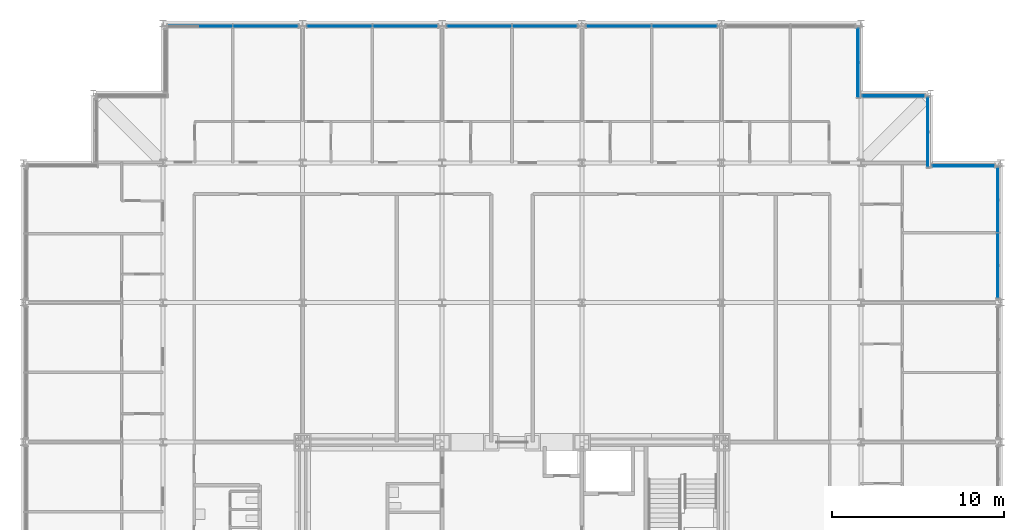
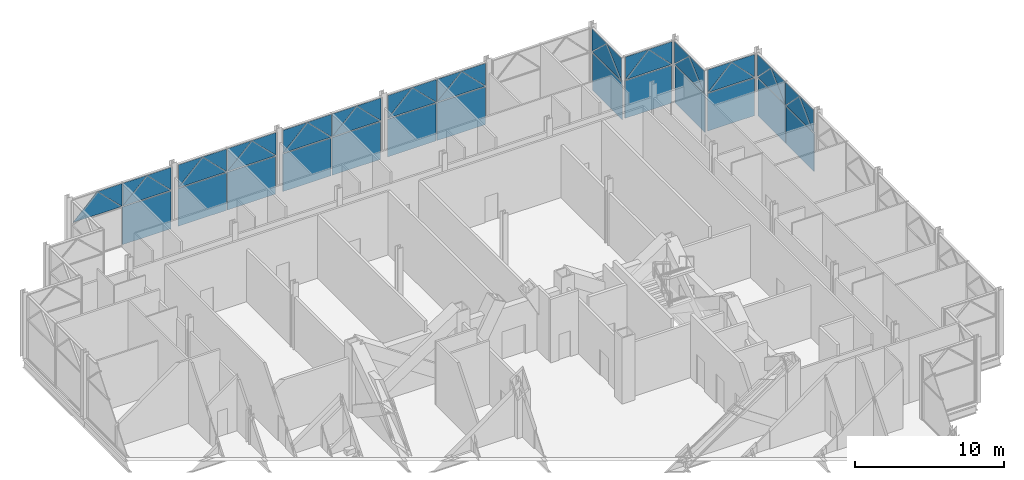
# One storey, part 17 of 26: 54 plates, 9 elements without a shape of their own.
"""IFC4 building model written with IfcOpenShell, lengths in metres."""

from ifc_helpers import new_model, si_unit, direction, frame, origin, origin_2d, place, context, subcontext, project, spatial, polyline, rectangle, outline, extrude, material, layer, layer_set, type_object, element, aggregate, save


model = new_model("IFC4")

# Units and contexts
model_context = context("Model", 3, precision=1e-05, world=origin(), true_north=direction((0.0, 1.0)))
body_context = subcontext(model_context, "Body", "Model", "MODEL_VIEW")
ifc_project = project(units=[si_unit("LENGTHUNIT", "METRE"), si_unit("AREAUNIT", "SQUARE_METRE"), si_unit("VOLUMEUNIT", "CUBIC_METRE"), si_unit("PLANEANGLEUNIT", "RADIAN"), si_unit("MASSUNIT", "GRAM", prefix="KILO")], contexts=[model_context])

# Site, building, storey
site_placement = place(None, origin())
site = spatial("IfcSite", under=ifc_project, at=site_placement, CompositionType="ELEMENT")
building_placement = place(site_placement, origin())
building = spatial("IfcBuilding", under=site, at=building_placement, Name="Kopane Lantern Tower", CompositionType="ELEMENT")
storey_placement = place(building_placement, frame((0.0, 0.0, 293.10009765625)))
storey = spatial("IfcBuildingStorey", under=building, at=storey_placement, Name="L75", CompositionType="ELEMENT", Elevation=293.10009765625)

# Curtain wall, plates
ifc_material_1 = material(Name="Aluminium and clear glass", Category="aluminium")
curtain_wall_type = type_object("IfcCurtainWallType", Name="CURTAIN WALL CW5 SKY RESTAURANT", PredefinedType="USERDEFINED", material=ifc_material_1)
curtain_wall_1_placement = place(storey_placement, origin())
curtain_wall_1 = element("IfcCurtainWall", 1, at=curtain_wall_1_placement, inside=storey, type_object=curtain_wall_type, Name="Curtain wall CW5 E L75", ObjectType="CURTAIN WALL", PredefinedType="USERDEFINED")
ifc_material_2 = material(Name="Insulated clear glass unit", Category="glass")
ifc_layer = layer(ifc_material_2, 0.035888671875)
ifc_layer_set = layer_set([ifc_layer], Name="CURTAIN PANEL CW5-P 36")
plate_type = type_object("IfcPlateType", Name="CURTAIN PANEL CW5-P 36", PredefinedType="CURTAIN_PANEL", material=ifc_layer_set)
plate_1_placement = place(storey_placement, frame((56.550048828125, 50.74462890625, 0.0751953125), z_axis=(0.0, 0.0, 1.0), x_axis=(0.0, 1.0, 0.0)))
plate_1 = element("IfcPlate", 2, at=plate_1_placement, type_object=plate_type, Name="CW5 panel 1.1", PredefinedType="CURTAIN_PANEL", context=body_context, shape_type="SweptSolid", body=[
    extrude(rectangle(XDim=3.735595703125, YDim=0.035888671875, at=origin_2d()), origin(), (0.0, 0.0, 1.0), 3.077392578125),
])
plate_2_placement = place(storey_placement, frame((56.550048828125, 54.555419921875, 0.0751953125), z_axis=(0.0, 0.0, 1.0), x_axis=(0.0, 1.0, 0.0)))
plate_2 = element("IfcPlate", 3, at=plate_2_placement, type_object=plate_type, Name="CW5 panel 2.1", PredefinedType="CURTAIN_PANEL", context=body_context, shape_type="SweptSolid", body=[
    extrude(rectangle(XDim=3.735595703125, YDim=0.035888671875, at=origin_2d()), origin(), (0.0, 0.0, 1.0), 3.077392578125),
])
plate_3_placement = place(storey_placement, frame((56.550048828125, 48.876708984375, 3.227294921875), z_axis=(0.0, 0.0, 1.0), x_axis=(0.0, 1.0, 0.0)))
plate_3 = element("IfcPlate", 4, at=plate_3_placement, type_object=plate_type, Name="CW5 lancet panel 1", PredefinedType="CURTAIN_PANEL", context=body_context, shape_type="SweptSolid", body=[
    extrude(outline(polyline([(0.0, 0.0), (3.73583984375, 0.0), (3.735595703125, 0.001220703125), (1.867919921875, 1.888916015625), (0.0, 0.001220703125), (0.0, 0.0)])), frame((0.0, 0.01806640625, 0.0), z_axis=(0.0, -1.0, 0.0), x_axis=(1.0, 0.0, 0.0)), (0.0, 0.0, 1.0), 0.035888671875),
])
plate_4_placement = place(storey_placement, frame((56.511962890625, 48.876708984375, 5.114990234375), z_axis=(0.0, 0.0, 1.0), x_axis=(0.0, 1.0, 0.0)))
plate_4 = element("IfcPlate", 5, at=plate_4_placement, type_object=plate_type, Name="CW5 spandrel panel 1L", PredefinedType="CURTAIN_PANEL", context=body_context, shape_type="SweptSolid", body=[
    extrude(outline(polyline([(0.0, 0.0), (1.867919921875, 0.0), (1.867919921875, -0.0009765625), (0.0, -1.8349609375), (0.0, 0.0)])), frame((0.0, 0.01806640625, 0.0), z_axis=(0.0, -1.0, 0.0), x_axis=(1.0, 0.0, 0.0)), (0.0, 0.0, 1.0), 0.035888671875),
])
plate_5_placement = place(storey_placement, frame((56.511962890625, 52.612548828125, 5.114990234375), z_axis=(0.0, 0.0, 1.0), x_axis=(0.0, -1.0, 0.0)))
plate_5 = element("IfcPlate", 6, at=plate_5_placement, type_object=plate_type, Name="CW5 spandrel panel 1R", PredefinedType="CURTAIN_PANEL", context=body_context, shape_type="SweptSolid", body=[
    extrude(outline(polyline([(0.0, 0.0), (1.867919921875, 0.0), (1.867919921875, -0.0009765625), (0.0, -1.8349609375), (0.0, 0.0)])), frame((0.0, 0.01806640625, 0.0), z_axis=(0.0, -1.0, 0.0), x_axis=(1.0, 0.0, 0.0)), (0.0, 0.0, 1.0), 0.035888671875),
])
plate_6_placement = place(storey_placement, frame((56.550048828125, 52.6875, 3.227294921875), z_axis=(0.0, 0.0, 1.0), x_axis=(0.0, 1.0, 0.0)))
plate_6 = element("IfcPlate", 7, at=plate_6_placement, type_object=plate_type, Name="CW5 lancet panel 2", PredefinedType="CURTAIN_PANEL", context=body_context, shape_type="SweptSolid", body=[
    extrude(outline(polyline([(0.0, 0.0), (3.735595703125, 0.0), (3.735595703125, 0.001220703125), (1.867919921875, 1.888916015625), (0.0, 0.001220703125), (0.0, 0.0)])), frame((0.0, 0.01806640625, 0.0), z_axis=(0.0, -1.0, 0.0), x_axis=(1.0, 0.0, 0.0)), (0.0, 0.0, 1.0), 0.035888671875),
])
plate_7_placement = place(storey_placement, frame((56.511962890625, 52.6875, 5.114990234375), z_axis=(0.0, 0.0, 1.0), x_axis=(0.0, 1.0, 0.0)))
plate_7 = element("IfcPlate", 8, at=plate_7_placement, type_object=plate_type, Name="CW5 spandrel panel 2L", PredefinedType="CURTAIN_PANEL", context=body_context, shape_type="SweptSolid", body=[
    extrude(outline(polyline([(0.0, 0.0), (1.867919921875, 0.0), (1.867919921875, -0.0009765625), (0.0, -1.8349609375), (0.0, 0.0)])), frame((0.0, 0.01806640625, 0.0), z_axis=(0.0, -1.0, 0.0), x_axis=(1.0, 0.0, 0.0)), (0.0, 0.0, 1.0), 0.035888671875),
])
plate_8_placement = place(storey_placement, frame((56.511962890625, 56.423095703125, 5.114990234375), z_axis=(0.0, 0.0, 1.0), x_axis=(0.0, -1.0, 0.0)))
plate_8 = element("IfcPlate", 9, at=plate_8_placement, type_object=plate_type, Name="CW5 spandrel panel 2R", PredefinedType="CURTAIN_PANEL", context=body_context, shape_type="SweptSolid", body=[
    extrude(outline(polyline([(0.0, 0.0), (1.86767578125, 0.0), (1.867919921875, -0.0009765625), (0.0, -1.8349609375), (0.0, 0.0)])), frame((0.0, 0.01806640625, 0.0), z_axis=(0.0, -1.0, 0.0), x_axis=(1.0, 0.0, 0.0)), (0.0, 0.0, 1.0), 0.035888671875),
])
aggregate(curtain_wall_1, [plate_1, plate_2, plate_3, plate_4, plate_5, plate_6, plate_7, plate_8])

curtain_wall_2_placement = place(storey_placement, origin())
curtain_wall_2 = element("IfcCurtainWall", 10, at=curtain_wall_2_placement, inside=storey, type_object=curtain_wall_type, Name="Curtain wall CW5 N L75", ObjectType="CURTAIN WALL", PredefinedType="USERDEFINED")
plate_9_placement = place(storey_placement, frame((54.52490234375, 56.550048828125, 0.0751953125), z_axis=(0.0, 0.0, 1.0), x_axis=(-1.0, 0.0, 0.0)))
plate_9 = element("IfcPlate", 11, at=plate_9_placement, type_object=plate_type, Name="CW5 panel 1.1", PredefinedType="CURTAIN_PANEL", context=body_context, shape_type="SweptSolid", body=[
    extrude(rectangle(XDim=3.60009765625, YDim=0.035888671875, at=origin_2d()), origin(), (0.0, 0.0, 1.0), 3.077392578125),
])
plate_10_placement = place(storey_placement, frame((56.324951171875, 56.550048828125, 3.227294921875), z_axis=(0.0, 0.0, 1.0), x_axis=(-1.0, 0.0, 0.0)))
plate_10 = element("IfcPlate", 12, at=plate_10_placement, type_object=plate_type, Name="CW5 lancet panel 1", PredefinedType="CURTAIN_PANEL", context=body_context, shape_type="SweptSolid", body=[
    extrude(outline(polyline([(0.0, 0.0), (3.599853515625, 0.0), (3.60009765625, 0.001220703125), (1.800048828125, 1.89306640625), (0.0, 0.001220703125), (0.0, 0.0)])), frame((0.0, 0.01806640625, 0.0), z_axis=(0.0, -1.0, 0.0), x_axis=(1.0, 0.0, 0.0)), (0.0, 0.0, 1.0), 0.035888671875),
])
plate_11_placement = place(storey_placement, frame((56.324951171875, 56.511962890625, 5.114990234375), z_axis=(0.0, 0.0, 1.0), x_axis=(-1.0, 0.0, 0.0)))
plate_11 = element("IfcPlate", 13, at=plate_11_placement, type_object=plate_type, Name="CW5 spandrel panel 1L", PredefinedType="CURTAIN_PANEL", context=body_context, shape_type="SweptSolid", body=[
    extrude(outline(polyline([(0.0, 0.0), (1.800048828125, 0.0), (1.800048828125, -0.0009765625), (0.0, -1.8359375), (0.0, 0.0)])), frame((0.0, 0.01806640625, 0.0), z_axis=(0.0, -1.0, 0.0), x_axis=(1.0, 0.0, 0.0)), (0.0, 0.0, 1.0), 0.035888671875),
])
plate_12_placement = place(storey_placement, frame((52.72509765625, 56.511962890625, 5.114990234375), z_axis=(0.0, 0.0, 1.0), x_axis=(1.0, 0.0, 0.0)))
plate_12 = element("IfcPlate", 14, at=plate_12_placement, type_object=plate_type, Name="CW5 spandrel panel 1R", PredefinedType="CURTAIN_PANEL", context=body_context, shape_type="SweptSolid", body=[
    extrude(outline(polyline([(0.0, 0.0), (1.7998046875, 0.0), (1.800048828125, -0.0009765625), (0.0, -1.8359375), (0.0, 0.0)])), frame((0.0, 0.01806640625, 0.0), z_axis=(0.0, -1.0, 0.0), x_axis=(1.0, 0.0, 0.0)), (0.0, 0.0, 1.0), 0.035888671875),
])
aggregate(curtain_wall_2, [plate_9, plate_10, plate_11, plate_12])

curtain_wall_3_placement = place(storey_placement, origin())
curtain_wall_3 = element("IfcCurtainWall", 15, at=curtain_wall_3_placement, inside=storey, type_object=curtain_wall_type, Name="Curtain wall CW5 E L75", ObjectType="CURTAIN WALL", PredefinedType="USERDEFINED")
plate_13_placement = place(storey_placement, frame((52.5, 58.493896484375, 0.0751953125), z_axis=(0.0, 0.0, 1.0), x_axis=(0.0, 1.0, 0.0)))
plate_13 = element("IfcPlate", 16, at=plate_13_placement, type_object=plate_type, Name="CW5 panel 1.1", PredefinedType="CURTAIN_PANEL", context=body_context, shape_type="SweptSolid", body=[
    extrude(rectangle(XDim=4.03759765625, YDim=0.035888671875, at=origin_2d()), origin(), (0.0, 0.0, 1.0), 3.077392578125),
])
plate_14_placement = place(storey_placement, frame((52.5, 56.47509765625, 3.227294921875), z_axis=(0.0, 0.0, 1.0), x_axis=(0.0, 1.0, 0.0)))
plate_14 = element("IfcPlate", 17, at=plate_14_placement, type_object=plate_type, Name="CW5 lancet panel 1", PredefinedType="CURTAIN_PANEL", context=body_context, shape_type="SweptSolid", body=[
    extrude(outline(polyline([(0.0, 0.0), (4.03759765625, 0.0), (4.03759765625, 0.001220703125), (2.018798828125, 1.88037109375), (0.0, 0.001220703125), (0.0, 0.0)])), frame((0.0, 0.01806640625, 0.0), z_axis=(0.0, -1.0, 0.0), x_axis=(1.0, 0.0, 0.0)), (0.0, 0.0, 1.0), 0.035888671875),
])
plate_15_placement = place(storey_placement, frame((52.4619140625, 56.47509765625, 5.114990234375), z_axis=(0.0, 0.0, 1.0), x_axis=(0.0, 1.0, 0.0)))
plate_15 = element("IfcPlate", 18, at=plate_15_placement, type_object=plate_type, Name="CW5 spandrel panel 1L", PredefinedType="CURTAIN_PANEL", context=body_context, shape_type="SweptSolid", body=[
    extrude(outline(polyline([(0.0, 0.0), (2.018798828125, 0.0), (2.018798828125, -0.0009765625), (0.0, -1.832763671875), (0.0, 0.0)])), frame((0.0, 0.01806640625, 0.0), z_axis=(0.0, -1.0, 0.0), x_axis=(1.0, 0.0, 0.0)), (0.0, 0.0, 1.0), 0.035888671875),
])
plate_16_placement = place(storey_placement, frame((52.4619140625, 60.5126953125, 5.114990234375), z_axis=(0.0, 0.0, 1.0), x_axis=(0.0, -1.0, 0.0)))
plate_16 = element("IfcPlate", 19, at=plate_16_placement, type_object=plate_type, Name="CW5 spandrel panel 1R", PredefinedType="CURTAIN_PANEL", context=body_context, shape_type="SweptSolid", body=[
    extrude(outline(polyline([(0.0, 0.0), (2.018798828125, 0.0), (2.018798828125, -0.0009765625), (0.0, -1.832763671875), (0.0, 0.0)])), frame((0.0, 0.01806640625, 0.0), z_axis=(0.0, -1.0, 0.0), x_axis=(1.0, 0.0, 0.0)), (0.0, 0.0, 1.0), 0.035888671875),
])
aggregate(curtain_wall_3, [plate_13, plate_14, plate_15, plate_16])

curtain_wall_4_placement = place(storey_placement, origin())
curtain_wall_4 = element("IfcCurtainWall", 20, at=curtain_wall_4_placement, inside=storey, type_object=curtain_wall_type, Name="Curtain wall CW5 N L75", ObjectType="CURTAIN WALL", PredefinedType="USERDEFINED")
plate_17_placement = place(storey_placement, frame((50.47509765625, 60.60009765625, 0.0751953125), z_axis=(0.0, 0.0, 1.0), x_axis=(-1.0, 0.0, 0.0)))
plate_17 = element("IfcPlate", 21, at=plate_17_placement, type_object=plate_type, Name="CW5 panel 1.1", PredefinedType="CURTAIN_PANEL", context=body_context, shape_type="SweptSolid", body=[
    extrude(rectangle(XDim=3.60009765625, YDim=0.035888671875, at=origin_2d()), origin(), (0.0, 0.0, 1.0), 3.077392578125),
])
plate_18_placement = place(storey_placement, frame((52.27490234375, 60.60009765625, 3.227294921875), z_axis=(0.0, 0.0, 1.0), x_axis=(-1.0, 0.0, 0.0)))
plate_18 = element("IfcPlate", 22, at=plate_18_placement, type_object=plate_type, Name="CW5 lancet panel 1", PredefinedType="CURTAIN_PANEL", context=body_context, shape_type="SweptSolid", body=[
    extrude(outline(polyline([(0.0, 0.0), (3.599853515625, 0.0), (3.60009765625, 0.001220703125), (1.800048828125, 1.89306640625), (0.0, 0.001220703125), (0.0, 0.0)])), frame((0.0, 0.01806640625, 0.0), z_axis=(0.0, -1.0, 0.0), x_axis=(1.0, 0.0, 0.0)), (0.0, 0.0, 1.0), 0.035888671875),
])
plate_19_placement = place(storey_placement, frame((52.27490234375, 60.56201171875, 5.114990234375), z_axis=(0.0, 0.0, 1.0), x_axis=(-1.0, 0.0, 0.0)))
plate_19 = element("IfcPlate", 23, at=plate_19_placement, type_object=plate_type, Name="CW5 spandrel panel 1L", PredefinedType="CURTAIN_PANEL", context=body_context, shape_type="SweptSolid", body=[
    extrude(outline(polyline([(0.0, 0.0), (1.7998046875, 0.0), (1.800048828125, -0.0009765625), (0.0, -1.8359375), (0.0, 0.0)])), frame((0.0, 0.01806640625, 0.0), z_axis=(0.0, -1.0, 0.0), x_axis=(1.0, 0.0, 0.0)), (0.0, 0.0, 1.0), 0.035888671875),
])
plate_20_placement = place(storey_placement, frame((48.675048828125, 60.56201171875, 5.114990234375), z_axis=(0.0, 0.0, 1.0), x_axis=(1.0, 0.0, 0.0)))
plate_20 = element("IfcPlate", 24, at=plate_20_placement, type_object=plate_type, Name="CW5 spandrel panel 1R", PredefinedType="CURTAIN_PANEL", context=body_context, shape_type="SweptSolid", body=[
    extrude(outline(polyline([(0.0, 0.0), (1.800048828125, 0.0), (1.800048828125, -0.0009765625), (0.0, -1.8359375), (0.0, 0.0)])), frame((0.0, 0.01806640625, 0.0), z_axis=(0.0, -1.0, 0.0), x_axis=(1.0, 0.0, 0.0)), (0.0, 0.0, 1.0), 0.035888671875),
])
aggregate(curtain_wall_4, [plate_17, plate_18, plate_19, plate_20])

curtain_wall_5_placement = place(storey_placement, origin())
curtain_wall_5 = element("IfcCurtainWall", 25, at=curtain_wall_5_placement, inside=storey, type_object=curtain_wall_type, Name="Curtain wall CW5 E L75", ObjectType="CURTAIN WALL", PredefinedType="USERDEFINED")
plate_21_placement = place(storey_placement, frame((48.449951171875, 62.524169921875, 0.0751953125), z_axis=(0.0, 0.0, 1.0), x_axis=(0.0, 1.0, 0.0)))
plate_21 = element("IfcPlate", 26, at=plate_21_placement, type_object=plate_type, Name="CW5 panel 1.1", PredefinedType="CURTAIN_PANEL", context=body_context, shape_type="SweptSolid", body=[
    extrude(rectangle(XDim=3.998291015625, YDim=0.035888671875, at=origin_2d()), origin(), (0.0, 0.0, 1.0), 3.077392578125),
])
plate_22_placement = place(storey_placement, frame((48.449951171875, 60.52490234375, 3.227294921875), z_axis=(0.0, 0.0, 1.0), x_axis=(0.0, 1.0, 0.0)))
plate_22 = element("IfcPlate", 27, at=plate_22_placement, type_object=plate_type, Name="CW5 lancet panel 1", PredefinedType="CURTAIN_PANEL", context=body_context, shape_type="SweptSolid", body=[
    extrude(outline(polyline([(0.0, 0.0), (3.998291015625, 0.0), (3.998291015625, 0.001220703125), (1.9990234375, 1.88134765625), (0.0, 0.001220703125), (0.0, 0.0)])), frame((0.0, 0.01806640625, 0.0), z_axis=(0.0, -1.0, 0.0), x_axis=(1.0, 0.0, 0.0)), (0.0, 0.0, 1.0), 0.035888671875),
])
plate_23_placement = place(storey_placement, frame((48.412109375, 60.52490234375, 5.114990234375), z_axis=(0.0, 0.0, 1.0), x_axis=(0.0, 1.0, 0.0)))
plate_23 = element("IfcPlate", 28, at=plate_23_placement, type_object=plate_type, Name="CW5 spandrel panel 1L", PredefinedType="CURTAIN_PANEL", context=body_context, shape_type="SweptSolid", body=[
    extrude(outline(polyline([(0.0, 0.0), (1.999267578125, 0.0), (1.9990234375, -0.0009765625), (0.0, -1.8330078125), (0.0, 0.0)])), frame((0.0, 0.01806640625, 0.0), z_axis=(0.0, -1.0, 0.0), x_axis=(1.0, 0.0, 0.0)), (0.0, 0.0, 1.0), 0.035888671875),
])
plate_24_placement = place(storey_placement, frame((48.412109375, 64.523193359375, 5.114990234375), z_axis=(0.0, 0.0, 1.0), x_axis=(0.0, -1.0, 0.0)))
plate_24 = element("IfcPlate", 29, at=plate_24_placement, type_object=plate_type, Name="CW5 spandrel panel 1R", PredefinedType="CURTAIN_PANEL", context=body_context, shape_type="SweptSolid", body=[
    extrude(outline(polyline([(0.0, 0.0), (1.9990234375, 0.0), (1.9990234375, -0.0009765625), (0.0, -1.8330078125), (0.0, 0.0)])), frame((0.0, 0.01806640625, 0.0), z_axis=(0.0, -1.0, 0.0), x_axis=(1.0, 0.0, 0.0)), (0.0, 0.0, 1.0), 0.035888671875),
])
aggregate(curtain_wall_5, [plate_21, plate_22, plate_23, plate_24])

curtain_wall_6_placement = place(storey_placement, origin())
curtain_wall_6 = element("IfcCurtainWall", 30, at=curtain_wall_6_placement, inside=storey, type_object=curtain_wall_type, Name="Curtain wall CW5 N L75", ObjectType="CURTAIN WALL", PredefinedType="USERDEFINED")
plate_25_placement = place(storey_placement, frame((38.35400390625, 64.64990234375, 0.0751953125), z_axis=(0.0, 0.0, 1.0), x_axis=(-1.0, 0.0, 0.0)))
plate_25 = element("IfcPlate", 31, at=plate_25_placement, type_object=plate_type, Name="CW5 panel 1.1", PredefinedType="CURTAIN_PANEL", context=body_context, shape_type="SweptSolid", body=[
    extrude(rectangle(XDim=3.73291015625, YDim=0.035888671875, at=origin_2d()), origin(), (0.0, 0.0, 1.0), 3.077392578125),
])
plate_26_placement = place(storey_placement, frame((34.5458984375, 64.64990234375, 0.0751953125), z_axis=(0.0, 0.0, 1.0), x_axis=(-1.0, 0.0, 0.0)))
plate_26 = element("IfcPlate", 32, at=plate_26_placement, type_object=plate_type, Name="CW5 panel 2.1", PredefinedType="CURTAIN_PANEL", context=body_context, shape_type="SweptSolid", body=[
    extrude(rectangle(XDim=3.73291015625, YDim=0.035888671875, at=origin_2d()), origin(), (0.0, 0.0, 1.0), 3.077392578125),
])
plate_27_placement = place(storey_placement, frame((40.220458984375, 64.64990234375, 3.227294921875), z_axis=(0.0, 0.0, 1.0), x_axis=(-1.0, 0.0, 0.0)))
plate_27 = element("IfcPlate", 33, at=plate_27_placement, type_object=plate_type, Name="CW5 lancet panel 1", PredefinedType="CURTAIN_PANEL", context=body_context, shape_type="SweptSolid", body=[
    extrude(outline(polyline([(0.0, 0.0), (3.73291015625, 0.0), (3.73291015625, 0.001220703125), (1.866455078125, 1.888916015625), (0.0, 0.001220703125), (0.0, 0.0)])), frame((0.0, 0.01806640625, 0.0), z_axis=(0.0, -1.0, 0.0), x_axis=(1.0, 0.0, 0.0)), (0.0, 0.0, 1.0), 0.035888671875),
])
plate_28_placement = place(storey_placement, frame((40.220458984375, 64.612060546875, 5.114990234375), z_axis=(0.0, 0.0, 1.0), x_axis=(-1.0, 0.0, 0.0)))
plate_28 = element("IfcPlate", 34, at=plate_28_placement, type_object=plate_type, Name="CW5 spandrel panel 1L", PredefinedType="CURTAIN_PANEL", context=body_context, shape_type="SweptSolid", body=[
    extrude(outline(polyline([(0.0, 0.0), (1.866455078125, 0.0), (1.866455078125, -0.0009765625), (0.0, -1.8349609375), (0.0, 0.0)])), frame((0.0, 0.01806640625, 0.0), z_axis=(0.0, -1.0, 0.0), x_axis=(1.0, 0.0, 0.0)), (0.0, 0.0, 1.0), 0.035888671875),
])
plate_29_placement = place(storey_placement, frame((36.487548828125, 64.612060546875, 5.114990234375), z_axis=(0.0, 0.0, 1.0), x_axis=(1.0, 0.0, 0.0)))
plate_29 = element("IfcPlate", 35, at=plate_29_placement, type_object=plate_type, Name="CW5 spandrel panel 1R", PredefinedType="CURTAIN_PANEL", context=body_context, shape_type="SweptSolid", body=[
    extrude(outline(polyline([(0.0, 0.0), (1.866455078125, 0.0), (1.866455078125, -0.0009765625), (0.0, -1.8349609375), (0.0, 0.0)])), frame((0.0, 0.01806640625, 0.0), z_axis=(0.0, -1.0, 0.0), x_axis=(1.0, 0.0, 0.0)), (0.0, 0.0, 1.0), 0.035888671875),
])
plate_30_placement = place(storey_placement, frame((36.41259765625, 64.64990234375, 3.227294921875), z_axis=(0.0, 0.0, 1.0), x_axis=(-1.0, 0.0, 0.0)))
plate_30 = element("IfcPlate", 36, at=plate_30_placement, type_object=plate_type, Name="CW5 lancet panel 2", PredefinedType="CURTAIN_PANEL", context=body_context, shape_type="SweptSolid", body=[
    extrude(outline(polyline([(0.0, 0.0), (3.733154296875, 0.0), (3.73291015625, 0.001220703125), (1.866455078125, 1.888916015625), (0.0, 0.001220703125), (0.0, 0.0)])), frame((0.0, 0.01806640625, 0.0), z_axis=(0.0, -1.0, 0.0), x_axis=(1.0, 0.0, 0.0)), (0.0, 0.0, 1.0), 0.035888671875),
])
plate_31_placement = place(storey_placement, frame((36.41259765625, 64.612060546875, 5.114990234375), z_axis=(0.0, 0.0, 1.0), x_axis=(-1.0, 0.0, 0.0)))
plate_31 = element("IfcPlate", 37, at=plate_31_placement, type_object=plate_type, Name="CW5 spandrel panel 2L", PredefinedType="CURTAIN_PANEL", context=body_context, shape_type="SweptSolid", body=[
    extrude(outline(polyline([(0.0, 0.0), (1.86669921875, 0.0), (1.866455078125, -0.0009765625), (0.0, -1.8349609375), (0.0, 0.0)])), frame((0.0, 0.01806640625, 0.0), z_axis=(0.0, -1.0, 0.0), x_axis=(1.0, 0.0, 0.0)), (0.0, 0.0, 1.0), 0.035888671875),
])
plate_32_placement = place(storey_placement, frame((32.679443359375, 64.612060546875, 5.114990234375), z_axis=(0.0, 0.0, 1.0), x_axis=(1.0, 0.0, 0.0)))
plate_32 = element("IfcPlate", 38, at=plate_32_placement, type_object=plate_type, Name="CW5 spandrel panel 2R", PredefinedType="CURTAIN_PANEL", context=body_context, shape_type="SweptSolid", body=[
    extrude(outline(polyline([(0.0, 0.0), (1.866455078125, 0.0), (1.866455078125, -0.0009765625), (0.0, -1.8349609375), (0.0, 0.0)])), frame((0.0, 0.01806640625, 0.0), z_axis=(0.0, -1.0, 0.0), x_axis=(1.0, 0.0, 0.0)), (0.0, 0.0, 1.0), 0.035888671875),
])
aggregate(curtain_wall_6, [plate_25, plate_26, plate_27, plate_28, plate_29, plate_30, plate_31, plate_32])

curtain_wall_7_placement = place(storey_placement, origin())
curtain_wall_7 = element("IfcCurtainWall", 39, at=curtain_wall_7_placement, inside=storey, type_object=curtain_wall_type, Name="Curtain wall CW5 N L75", ObjectType="CURTAIN WALL", PredefinedType="USERDEFINED")
plate_33_placement = place(storey_placement, frame((30.25390625, 64.64990234375, 0.0751953125), z_axis=(0.0, 0.0, 1.0), x_axis=(-1.0, 0.0, 0.0)))
plate_33 = element("IfcPlate", 40, at=plate_33_placement, type_object=plate_type, Name="CW5 panel 1.1", PredefinedType="CURTAIN_PANEL", context=body_context, shape_type="SweptSolid", body=[
    extrude(rectangle(XDim=3.73291015625, YDim=0.035888671875, at=origin_2d()), origin(), (0.0, 0.0, 1.0), 3.077392578125),
])
plate_34_placement = place(storey_placement, frame((26.446044921875, 64.64990234375, 0.0751953125), z_axis=(0.0, 0.0, 1.0), x_axis=(-1.0, 0.0, 0.0)))
plate_34 = element("IfcPlate", 41, at=plate_34_placement, type_object=plate_type, Name="CW5 panel 2.1", PredefinedType="CURTAIN_PANEL", context=body_context, shape_type="SweptSolid", body=[
    extrude(rectangle(XDim=3.73291015625, YDim=0.035888671875, at=origin_2d()), origin(), (0.0, 0.0, 1.0), 3.077392578125),
])
plate_35_placement = place(storey_placement, frame((32.12060546875, 64.64990234375, 3.227294921875), z_axis=(0.0, 0.0, 1.0), x_axis=(-1.0, 0.0, 0.0)))
plate_35 = element("IfcPlate", 42, at=plate_35_placement, type_object=plate_type, Name="CW5 lancet panel 1", PredefinedType="CURTAIN_PANEL", context=body_context, shape_type="SweptSolid", body=[
    extrude(outline(polyline([(0.0, 0.0), (3.733154296875, 0.0), (3.73291015625, 0.001220703125), (1.866455078125, 1.888916015625), (0.0, 0.001220703125), (0.0, 0.0)])), frame((0.0, 0.01806640625, 0.0), z_axis=(0.0, -1.0, 0.0), x_axis=(1.0, 0.0, 0.0)), (0.0, 0.0, 1.0), 0.035888671875),
])
plate_36_placement = place(storey_placement, frame((32.12060546875, 64.612060546875, 5.114990234375), z_axis=(0.0, 0.0, 1.0), x_axis=(-1.0, 0.0, 0.0)))
plate_36 = element("IfcPlate", 43, at=plate_36_placement, type_object=plate_type, Name="CW5 spandrel panel 1L", PredefinedType="CURTAIN_PANEL", context=body_context, shape_type="SweptSolid", body=[
    extrude(outline(polyline([(0.0, 0.0), (1.86669921875, 0.0), (1.866455078125, -0.0009765625), (0.0, -1.8349609375), (0.0, 0.0)])), frame((0.0, 0.01806640625, 0.0), z_axis=(0.0, -1.0, 0.0), x_axis=(1.0, 0.0, 0.0)), (0.0, 0.0, 1.0), 0.035888671875),
])
plate_37_placement = place(storey_placement, frame((28.387451171875, 64.612060546875, 5.114990234375), z_axis=(0.0, 0.0, 1.0), x_axis=(1.0, 0.0, 0.0)))
plate_37 = element("IfcPlate", 44, at=plate_37_placement, type_object=plate_type, Name="CW5 spandrel panel 1R", PredefinedType="CURTAIN_PANEL", context=body_context, shape_type="SweptSolid", body=[
    extrude(outline(polyline([(0.0, 0.0), (1.866455078125, 0.0), (1.866455078125, -0.0009765625), (0.0, -1.8349609375), (0.0, 0.0)])), frame((0.0, 0.01806640625, 0.0), z_axis=(0.0, -1.0, 0.0), x_axis=(1.0, 0.0, 0.0)), (0.0, 0.0, 1.0), 0.035888671875),
])
plate_38_placement = place(storey_placement, frame((28.3125, 64.64990234375, 3.227294921875), z_axis=(0.0, 0.0, 1.0), x_axis=(-1.0, 0.0, 0.0)))
plate_38 = element("IfcPlate", 45, at=plate_38_placement, type_object=plate_type, Name="CW5 lancet panel 2", PredefinedType="CURTAIN_PANEL", context=body_context, shape_type="SweptSolid", body=[
    extrude(outline(polyline([(0.0, 0.0), (3.73291015625, 0.0), (3.73291015625, 0.001220703125), (1.866455078125, 1.888916015625), (0.0, 0.001220703125), (0.0, 0.0)])), frame((0.0, 0.01806640625, 0.0), z_axis=(0.0, -1.0, 0.0), x_axis=(1.0, 0.0, 0.0)), (0.0, 0.0, 1.0), 0.035888671875),
])
plate_39_placement = place(storey_placement, frame((28.3125, 64.612060546875, 5.114990234375), z_axis=(0.0, 0.0, 1.0), x_axis=(-1.0, 0.0, 0.0)))
plate_39 = element("IfcPlate", 46, at=plate_39_placement, type_object=plate_type, Name="CW5 spandrel panel 2L", PredefinedType="CURTAIN_PANEL", context=body_context, shape_type="SweptSolid", body=[
    extrude(outline(polyline([(0.0, 0.0), (1.866455078125, 0.0), (1.866455078125, -0.0009765625), (0.0, -1.8349609375), (0.0, 0.0)])), frame((0.0, 0.01806640625, 0.0), z_axis=(0.0, -1.0, 0.0), x_axis=(1.0, 0.0, 0.0)), (0.0, 0.0, 1.0), 0.035888671875),
])
plate_40_placement = place(storey_placement, frame((24.57958984375, 64.612060546875, 5.114990234375), z_axis=(0.0, 0.0, 1.0), x_axis=(1.0, 0.0, 0.0)))
plate_40 = element("IfcPlate", 47, at=plate_40_placement, type_object=plate_type, Name="CW5 spandrel panel 2R", PredefinedType="CURTAIN_PANEL", context=body_context, shape_type="SweptSolid", body=[
    extrude(outline(polyline([(0.0, 0.0), (1.866455078125, 0.0), (1.866455078125, -0.0009765625), (0.0, -1.8349609375), (0.0, 0.0)])), frame((0.0, 0.01806640625, 0.0), z_axis=(0.0, -1.0, 0.0), x_axis=(1.0, 0.0, 0.0)), (0.0, 0.0, 1.0), 0.035888671875),
])
aggregate(curtain_wall_7, [plate_33, plate_34, plate_35, plate_36, plate_37, plate_38, plate_39, plate_40])

curtain_wall_8_placement = place(storey_placement, origin())
curtain_wall_8 = element("IfcCurtainWall", 48, at=curtain_wall_8_placement, inside=storey, type_object=curtain_wall_type, Name="Curtain wall CW5 N L75", ObjectType="CURTAIN WALL", PredefinedType="USERDEFINED")
plate_41_placement = place(storey_placement, frame((22.154052734375, 64.64990234375, 0.0751953125), z_axis=(0.0, 0.0, 1.0), x_axis=(-1.0, 0.0, 0.0)))
plate_41 = element("IfcPlate", 49, at=plate_41_placement, type_object=plate_type, Name="CW5 panel 1.1", PredefinedType="CURTAIN_PANEL", context=body_context, shape_type="SweptSolid", body=[
    extrude(rectangle(XDim=3.73291015625, YDim=0.035888671875, at=origin_2d()), origin(), (0.0, 0.0, 1.0), 3.077392578125),
])
plate_42_placement = place(storey_placement, frame((18.345947265625, 64.64990234375, 0.0751953125), z_axis=(0.0, 0.0, 1.0), x_axis=(-1.0, 0.0, 0.0)))
plate_42 = element("IfcPlate", 50, at=plate_42_placement, type_object=plate_type, Name="CW5 panel 2.1", PredefinedType="CURTAIN_PANEL", context=body_context, shape_type="SweptSolid", body=[
    extrude(rectangle(XDim=3.73291015625, YDim=0.035888671875, at=origin_2d()), origin(), (0.0, 0.0, 1.0), 3.077392578125),
])
plate_43_placement = place(storey_placement, frame((24.0205078125, 64.64990234375, 3.227294921875), z_axis=(0.0, 0.0, 1.0), x_axis=(-1.0, 0.0, 0.0)))
plate_43 = element("IfcPlate", 51, at=plate_43_placement, type_object=plate_type, Name="CW5 lancet panel 1", PredefinedType="CURTAIN_PANEL", context=body_context, shape_type="SweptSolid", body=[
    extrude(outline(polyline([(0.0, 0.0), (3.73291015625, 0.0), (3.73291015625, 0.001220703125), (1.866455078125, 1.888916015625), (0.0, 0.001220703125), (0.0, 0.0)])), frame((0.0, 0.01806640625, 0.0), z_axis=(0.0, -1.0, 0.0), x_axis=(1.0, 0.0, 0.0)), (0.0, 0.0, 1.0), 0.035888671875),
])
plate_44_placement = place(storey_placement, frame((24.0205078125, 64.612060546875, 5.114990234375), z_axis=(0.0, 0.0, 1.0), x_axis=(-1.0, 0.0, 0.0)))
plate_44 = element("IfcPlate", 52, at=plate_44_placement, type_object=plate_type, Name="CW5 spandrel panel 1L", PredefinedType="CURTAIN_PANEL", context=body_context, shape_type="SweptSolid", body=[
    extrude(outline(polyline([(0.0, 0.0), (1.866455078125, 0.0), (1.866455078125, -0.0009765625), (0.0, -1.8349609375), (0.0, 0.0)])), frame((0.0, 0.01806640625, 0.0), z_axis=(0.0, -1.0, 0.0), x_axis=(1.0, 0.0, 0.0)), (0.0, 0.0, 1.0), 0.035888671875),
])
plate_45_placement = place(storey_placement, frame((20.28759765625, 64.612060546875, 5.114990234375), z_axis=(0.0, 0.0, 1.0), x_axis=(1.0, 0.0, 0.0)))
plate_45 = element("IfcPlate", 53, at=plate_45_placement, type_object=plate_type, Name="CW5 spandrel panel 1R", PredefinedType="CURTAIN_PANEL", context=body_context, shape_type="SweptSolid", body=[
    extrude(outline(polyline([(0.0, 0.0), (1.866455078125, 0.0), (1.866455078125, -0.0009765625), (0.0, -1.8349609375), (0.0, 0.0)])), frame((0.0, 0.01806640625, 0.0), z_axis=(0.0, -1.0, 0.0), x_axis=(1.0, 0.0, 0.0)), (0.0, 0.0, 1.0), 0.035888671875),
])
plate_46_placement = place(storey_placement, frame((20.21240234375, 64.64990234375, 3.227294921875), z_axis=(0.0, 0.0, 1.0), x_axis=(-1.0, 0.0, 0.0)))
plate_46 = element("IfcPlate", 54, at=plate_46_placement, type_object=plate_type, Name="CW5 lancet panel 2", PredefinedType="CURTAIN_PANEL", context=body_context, shape_type="SweptSolid", body=[
    extrude(outline(polyline([(0.0, 0.0), (3.73291015625, 0.0), (3.73291015625, 0.001220703125), (1.866455078125, 1.888916015625), (0.0, 0.001220703125), (0.0, 0.0)])), frame((0.0, 0.01806640625, 0.0), z_axis=(0.0, -1.0, 0.0), x_axis=(1.0, 0.0, 0.0)), (0.0, 0.0, 1.0), 0.035888671875),
])
plate_47_placement = place(storey_placement, frame((20.21240234375, 64.612060546875, 5.114990234375), z_axis=(0.0, 0.0, 1.0), x_axis=(-1.0, 0.0, 0.0)))
plate_47 = element("IfcPlate", 55, at=plate_47_placement, type_object=plate_type, Name="CW5 spandrel panel 2L", PredefinedType="CURTAIN_PANEL", context=body_context, shape_type="SweptSolid", body=[
    extrude(outline(polyline([(0.0, 0.0), (1.866455078125, 0.0), (1.866455078125, -0.0009765625), (0.0, -1.8349609375), (0.0, 0.0)])), frame((0.0, 0.01806640625, 0.0), z_axis=(0.0, -1.0, 0.0), x_axis=(1.0, 0.0, 0.0)), (0.0, 0.0, 1.0), 0.035888671875),
])
plate_48_placement = place(storey_placement, frame((16.4794921875, 64.612060546875, 5.114990234375), z_axis=(0.0, 0.0, 1.0), x_axis=(1.0, 0.0, 0.0)))
plate_48 = element("IfcPlate", 56, at=plate_48_placement, type_object=plate_type, Name="CW5 spandrel panel 2R", PredefinedType="CURTAIN_PANEL", context=body_context, shape_type="SweptSolid", body=[
    extrude(outline(polyline([(0.0, 0.0), (1.866455078125, 0.0), (1.866455078125, -0.0009765625), (0.0, -1.8349609375), (0.0, 0.0)])), frame((0.0, 0.01806640625, 0.0), z_axis=(0.0, -1.0, 0.0), x_axis=(1.0, 0.0, 0.0)), (0.0, 0.0, 1.0), 0.035888671875),
])
aggregate(curtain_wall_8, [plate_41, plate_42, plate_43, plate_44, plate_45, plate_46, plate_47, plate_48])

curtain_wall_9_placement = place(storey_placement, origin())
curtain_wall_9 = element("IfcCurtainWall", 57, at=curtain_wall_9_placement, inside=storey, type_object=curtain_wall_type, Name="Curtain wall CW5 N L75", ObjectType="CURTAIN WALL", PredefinedType="USERDEFINED")
plate_49_placement = place(storey_placement, frame((14.053955078125, 64.64990234375, 0.0751953125), z_axis=(0.0, 0.0, 1.0), x_axis=(-1.0, 0.0, 0.0)))
plate_49 = element("IfcPlate", 58, at=plate_49_placement, type_object=plate_type, Name="CW5 panel 1.1", PredefinedType="CURTAIN_PANEL", context=body_context, shape_type="SweptSolid", body=[
    extrude(rectangle(XDim=3.73291015625, YDim=0.035888671875, at=origin_2d()), origin(), (0.0, 0.0, 1.0), 3.077392578125),
])
plate_50_placement = place(storey_placement, frame((15.92041015625, 64.64990234375, 3.227294921875), z_axis=(0.0, 0.0, 1.0), x_axis=(-1.0, 0.0, 0.0)))
plate_50 = element("IfcPlate", 59, at=plate_50_placement, type_object=plate_type, Name="CW5 lancet panel 1", PredefinedType="CURTAIN_PANEL", context=body_context, shape_type="SweptSolid", body=[
    extrude(outline(polyline([(0.0, 0.0), (3.73291015625, 0.0), (3.73291015625, 0.001220703125), (1.866455078125, 1.888916015625), (0.0, 0.001220703125), (0.0, 0.0)])), frame((0.0, 0.01806640625, 0.0), z_axis=(0.0, -1.0, 0.0), x_axis=(1.0, 0.0, 0.0)), (0.0, 0.0, 1.0), 0.035888671875),
])
plate_51_placement = place(storey_placement, frame((15.92041015625, 64.612060546875, 5.114990234375), z_axis=(0.0, 0.0, 1.0), x_axis=(-1.0, 0.0, 0.0)))
plate_51 = element("IfcPlate", 60, at=plate_51_placement, type_object=plate_type, Name="CW5 spandrel panel 1L", PredefinedType="CURTAIN_PANEL", context=body_context, shape_type="SweptSolid", body=[
    extrude(outline(polyline([(0.0, 0.0), (1.866455078125, 0.0), (1.866455078125, -0.0009765625), (0.0, -1.8349609375), (0.0, 0.0)])), frame((0.0, 0.01806640625, 0.0), z_axis=(0.0, -1.0, 0.0), x_axis=(1.0, 0.0, 0.0)), (0.0, 0.0, 1.0), 0.035888671875),
])
plate_52_placement = place(storey_placement, frame((12.1875, 64.612060546875, 5.114990234375), z_axis=(0.0, 0.0, 1.0), x_axis=(1.0, 0.0, 0.0)))
plate_52 = element("IfcPlate", 61, at=plate_52_placement, type_object=plate_type, Name="CW5 spandrel panel 1R", PredefinedType="CURTAIN_PANEL", context=body_context, shape_type="SweptSolid", body=[
    extrude(outline(polyline([(0.0, 0.0), (1.866455078125, 0.0), (1.866455078125, -0.0009765625), (0.0, -1.8349609375), (0.0, 0.0)])), frame((0.0, 0.01806640625, 0.0), z_axis=(0.0, -1.0, 0.0), x_axis=(1.0, 0.0, 0.0)), (0.0, 0.0, 1.0), 0.035888671875),
])
plate_53_placement = place(storey_placement, frame((12.112548828125, 64.64990234375, 3.227294921875), z_axis=(0.0, 0.0, 1.0), x_axis=(-1.0, 0.0, 0.0)))
plate_53 = element("IfcPlate", 62, at=plate_53_placement, type_object=plate_type, Name="CW5 lancet panel 2", PredefinedType="CURTAIN_PANEL", context=body_context, shape_type="SweptSolid", body=[
    extrude(outline(polyline([(0.0, 0.0), (3.733154296875, 0.0), (3.73291015625, 0.001220703125), (1.866455078125, 1.888916015625), (0.0, 0.001220703125), (0.0, 0.0)])), frame((0.0, 0.01806640625, 0.0), z_axis=(0.0, -1.0, 0.0), x_axis=(1.0, 0.0, 0.0)), (0.0, 0.0, 1.0), 0.035888671875),
])
plate_54_placement = place(storey_placement, frame((12.112548828125, 64.612060546875, 5.114990234375), z_axis=(0.0, 0.0, 1.0), x_axis=(-1.0, 0.0, 0.0)))
plate_54 = element("IfcPlate", 63, at=plate_54_placement, type_object=plate_type, Name="CW5 spandrel panel 2L", PredefinedType="CURTAIN_PANEL", context=body_context, shape_type="SweptSolid", body=[
    extrude(outline(polyline([(0.0, 0.0), (1.866455078125, 0.0), (1.866455078125, -0.0009765625), (0.0, -1.8349609375), (0.0, 0.0)])), frame((0.0, 0.01806640625, 0.0), z_axis=(0.0, -1.0, 0.0), x_axis=(1.0, 0.0, 0.0)), (0.0, 0.0, 1.0), 0.035888671875),
])
aggregate(curtain_wall_9, [plate_49, plate_50, plate_51, plate_52, plate_53, plate_54])

save(model, "model.ifc")
